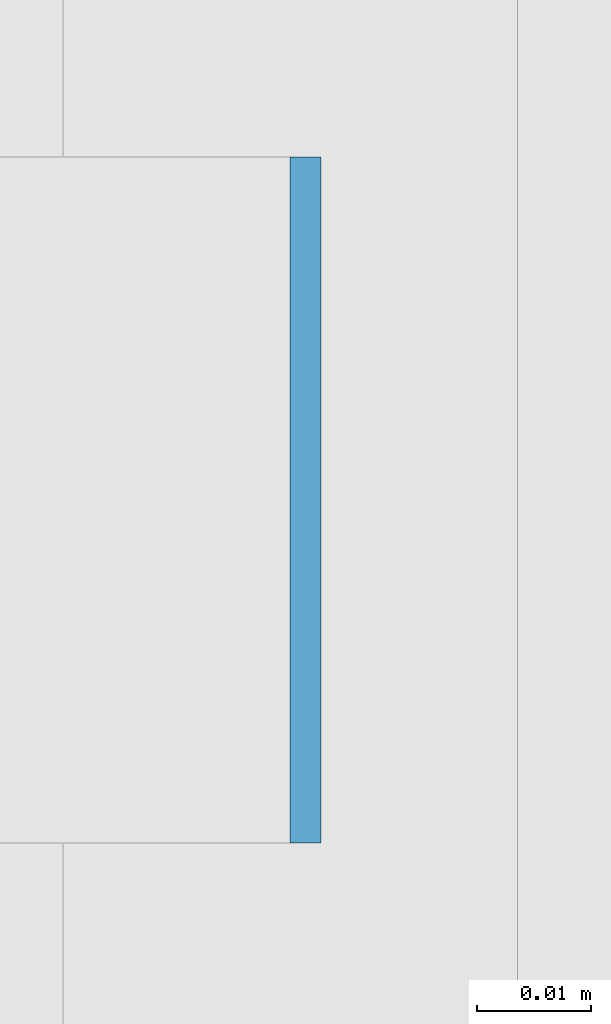
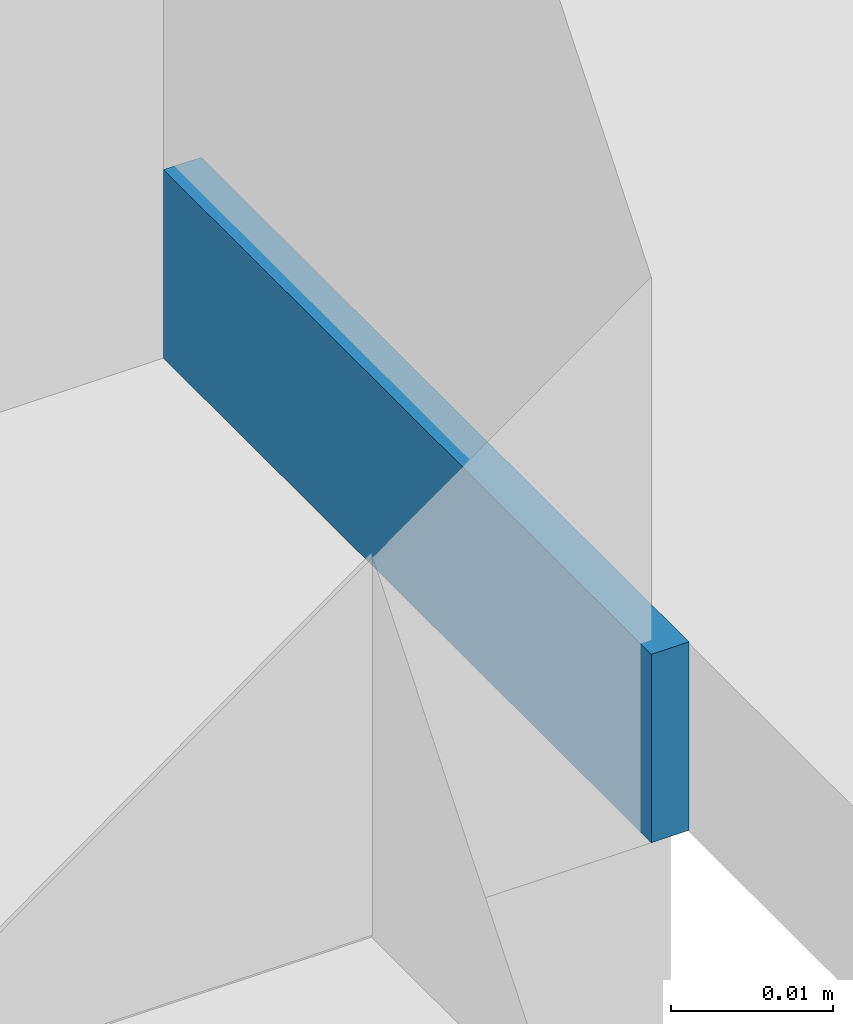
# One storey, part 394 of 646: 1 discrete accessory.
"""IFC4 building model written with IfcOpenShell, lengths in metres."""

from ifc_helpers import new_model, si_unit, direction, frame, origin, origin_2d, place, context, subcontext, project, spatial, rectangle, extrude, material, type_object, element, save


model = new_model("IFC4")

# Units and contexts
model_context = context("Model", 3, precision=1e-05, world=origin(), true_north=direction((0.0, 1.0)))
body_context = subcontext(model_context, "Body", "Model", "MODEL_VIEW")
ifc_project = project(units=[si_unit("LENGTHUNIT", "METRE"), si_unit("AREAUNIT", "SQUARE_METRE"), si_unit("VOLUMEUNIT", "CUBIC_METRE"), si_unit("PLANEANGLEUNIT", "RADIAN"), si_unit("MASSUNIT", "GRAM", prefix="KILO")], contexts=[model_context])

# Site, building, storey
site_placement = place(None, origin())
site = spatial("IfcSite", under=ifc_project, at=site_placement, CompositionType="ELEMENT")
building_placement = place(site_placement, origin())
building = spatial("IfcBuilding", under=site, at=building_placement, Name="Silverbay Arena", CompositionType="ELEMENT")
storey_placement = place(building_placement, frame((0.0, 0.0, 33.5)))
storey = spatial("IfcBuildingStorey", under=building, at=storey_placement, Name="L05", CompositionType="ELEMENT", Elevation=33.5)

# Discrete accessory
ifc_material = material(Name="Steel S355", Category="steel")
discrete_accessory_type = type_object("IfcDiscreteAccessoryType", Name="Steel bracket plate", PredefinedType="BRACKET", material=ifc_material)
discrete_accessory_placement = place(storey_placement, frame((53.871337890625, 115.71435546875, 4.0), z_axis=(0.0, 0.0, 1.0), x_axis=(1.0, 0.0, 0.0)))
element("IfcDiscreteAccessory", 1, at=discrete_accessory_placement, inside=storey, type_object=discrete_accessory_type, Name="Curtain wall packing plate", PredefinedType="BRACKET", context=body_context, shape_type="SweptSolid", body=[
    extrude(rectangle(XDim=0.002685546875, YDim=0.06005859375, at=origin_2d()), origin(), (0.0, 0.0, 1.0), 0.01416015625),
])

save(model, "model.ifc")
